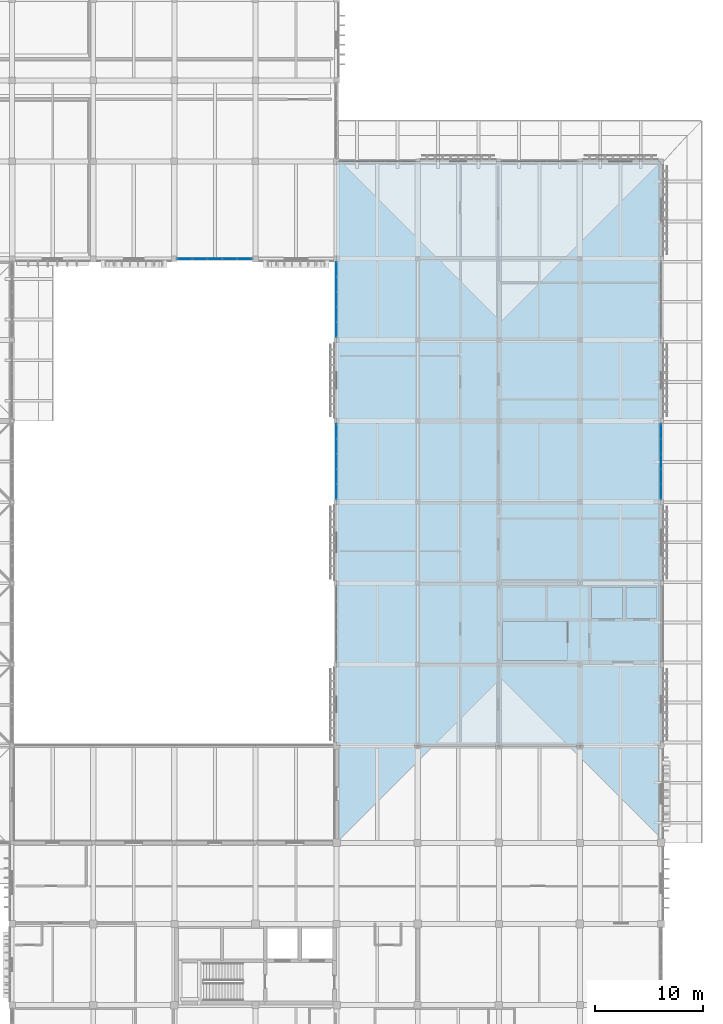
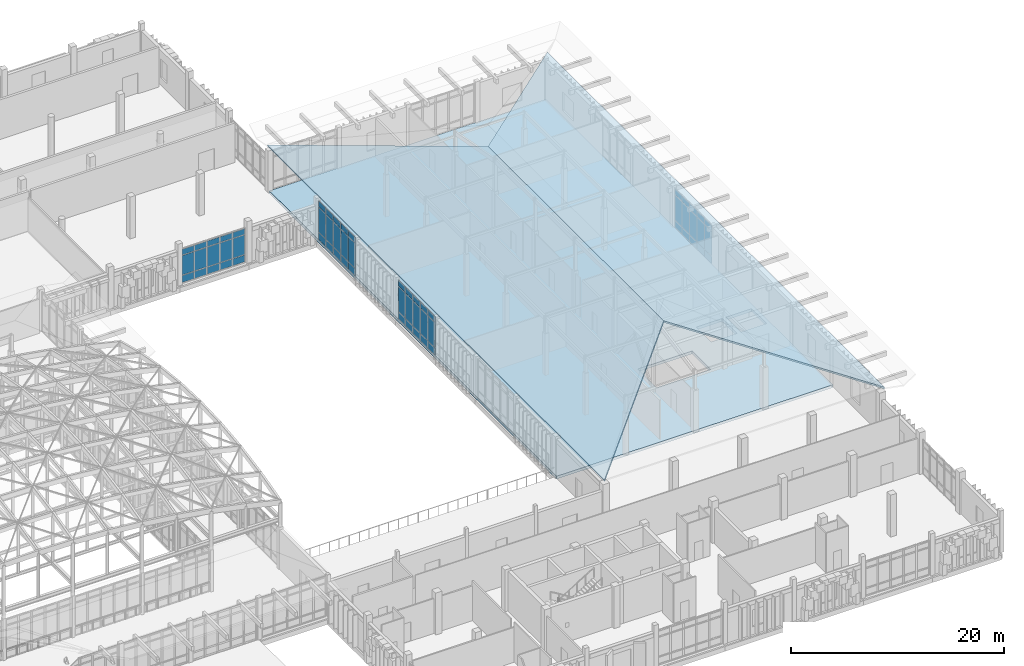
# One storey, part 92 of 131: 60 plates, 3 slabs, 5 elements without a shape of their own.
"""IFC4 building model written with IfcOpenShell, lengths in metres."""

from ifc_helpers import new_model, si_unit, direction, frame, origin, origin_2d, place, context, subcontext, project, spatial, polyline, rectangle, outline, extrude, material, layer, layer_set, type_object, element, aggregate, save


model = new_model("IFC4")

# Units and contexts
model_context = context("Model", 3, precision=1e-05, world=origin(), true_north=direction((0.0, 1.0)))
body_context = subcontext(model_context, "Body", "Model", "MODEL_VIEW")
ifc_project = project(units=[si_unit("LENGTHUNIT", "METRE"), si_unit("AREAUNIT", "SQUARE_METRE"), si_unit("VOLUMEUNIT", "CUBIC_METRE"), si_unit("PLANEANGLEUNIT", "RADIAN"), si_unit("MASSUNIT", "GRAM", prefix="KILO")], contexts=[model_context])

# Site, building, storey
site_placement = place(None, origin())
site = spatial("IfcSite", under=ifc_project, at=site_placement, CompositionType="ELEMENT")
building_placement = place(site_placement, origin())
building = spatial("IfcBuilding", under=site, at=building_placement, Name="Dalvernix Boulevard General Hospital", CompositionType="ELEMENT")
storey_placement = place(building_placement, frame((0.0, 0.0, 9.300048828125)))
storey = spatial("IfcBuildingStorey", under=building, at=storey_placement, Name="L02", CompositionType="ELEMENT", Elevation=9.300048828125)

# Curtain wall, plates
ifc_material_1 = material(Name="Thermally broken aluminium and solar-control glass curtain wall", Category="aluminium")
ifc_layer_1 = layer(ifc_material_1, 0.159912109375)
ifc_layer_set_1 = layer_set([ifc_layer_1], Name="Thermally broken aluminium and solar-control glass curtain wall (CW-CW-A-70x46)")
curtain_wall_type_1 = type_object("IfcCurtainWallType", Name="CW-CW-A-70x46", PredefinedType="USERDEFINED", material=ifc_layer_set_1)
curtain_wall_1_placement = place(storey_placement, origin())
curtain_wall_1 = element("IfcCurtainWall", 1, at=curtain_wall_1_placement, inside=storey, type_object=curtain_wall_type_1, Name="L02 curtain wall CW-A-70x46 19-9", ObjectType="GLAZED FACADE", PredefinedType="USERDEFINED")
ifc_material_2 = material(Name="Double-glazed solar-control low-emissivity glass", Category="glass")
ifc_layer_2 = layer(ifc_material_2, 0.02392578125)
ifc_layer_set_2 = layer_set([ifc_layer_2], Name="Double-glazed solar-control low-emissivity glass (PLT-CW-P1)")
plate_type_1 = type_object("IfcPlateType", Name="PLT-CW-P1", PredefinedType="CURTAIN_PANEL", material=ifc_layer_set_2)
plate_1_placement = place(storey_placement, frame((142.5, 69.950439453125, 0.059814453125), z_axis=(0.0, 0.0, 1.0), x_axis=(0.0, 1.0, 0.0)))
plate_1 = element("IfcPlate", 2, at=plate_1_placement, type_object=plate_type_1, Name="CW-A-70x46 panel 1.1", PredefinedType="CURTAIN_PANEL", context=body_context, shape_type="SweptSolid", body=[
    extrude(rectangle(XDim=1.31103515625, YDim=0.02392578125, at=origin_2d()), origin(), (0.0, 0.0, 1.0), 0.81005859375),
])
plate_2_placement = place(storey_placement, frame((142.5, 69.950439453125, 0.9296875), z_axis=(0.0, 0.0, 1.0), x_axis=(0.0, 1.0, 0.0)))
plate_2 = element("IfcPlate", 3, at=plate_2_placement, type_object=plate_type_1, Name="CW-A-70x46 panel 1.2", PredefinedType="CURTAIN_PANEL", context=body_context, shape_type="SweptSolid", body=[
    extrude(rectangle(XDim=1.31103515625, YDim=0.02392578125, at=origin_2d()), origin(), (0.0, 0.0, 1.0), 2.840087890625),
])
plate_3_placement = place(storey_placement, frame((142.5, 69.950439453125, 3.830078125), z_axis=(0.0, 0.0, 1.0), x_axis=(0.0, 1.0, 0.0)))
plate_3 = element("IfcPlate", 4, at=plate_3_placement, type_object=plate_type_1, Name="CW-A-70x46 panel 1.3", PredefinedType="CURTAIN_PANEL", context=body_context, shape_type="SweptSolid", body=[
    extrude(rectangle(XDim=1.31103515625, YDim=0.02392578125, at=origin_2d()), origin(), (0.0, 0.0, 1.0), 0.659912109375),
])
plate_4_placement = place(storey_placement, frame((142.5, 71.33642578125, 0.059814453125), z_axis=(0.0, 0.0, 1.0), x_axis=(0.0, 1.0, 0.0)))
plate_4 = element("IfcPlate", 5, at=plate_4_placement, type_object=plate_type_1, Name="CW-A-70x46 panel 2.1", PredefinedType="CURTAIN_PANEL", context=body_context, shape_type="SweptSolid", body=[
    extrude(rectangle(XDim=1.341064453125, YDim=0.02392578125, at=origin_2d()), origin(), (0.0, 0.0, 1.0), 0.81005859375),
])
plate_5_placement = place(storey_placement, frame((142.5, 71.33642578125, 0.9296875), z_axis=(0.0, 0.0, 1.0), x_axis=(0.0, 1.0, 0.0)))
plate_5 = element("IfcPlate", 6, at=plate_5_placement, type_object=plate_type_1, Name="CW-A-70x46 panel 2.2", PredefinedType="CURTAIN_PANEL", context=body_context, shape_type="SweptSolid", body=[
    extrude(rectangle(XDim=1.341064453125, YDim=0.02392578125, at=origin_2d()), origin(), (0.0, 0.0, 1.0), 2.840087890625),
])
plate_6_placement = place(storey_placement, frame((142.5, 71.33642578125, 3.830078125), z_axis=(0.0, 0.0, 1.0), x_axis=(0.0, 1.0, 0.0)))
plate_6 = element("IfcPlate", 7, at=plate_6_placement, type_object=plate_type_1, Name="CW-A-70x46 panel 2.3", PredefinedType="CURTAIN_PANEL", context=body_context, shape_type="SweptSolid", body=[
    extrude(rectangle(XDim=1.341064453125, YDim=0.02392578125, at=origin_2d()), origin(), (0.0, 0.0, 1.0), 0.659912109375),
])
plate_7_placement = place(storey_placement, frame((142.5, 72.737548828125, 0.059814453125), z_axis=(0.0, 0.0, 1.0), x_axis=(0.0, 1.0, 0.0)))
plate_7 = element("IfcPlate", 8, at=plate_7_placement, type_object=plate_type_1, Name="CW-A-70x46 panel 3.1", PredefinedType="CURTAIN_PANEL", context=body_context, shape_type="SweptSolid", body=[
    extrude(rectangle(XDim=1.341064453125, YDim=0.02392578125, at=origin_2d()), origin(), (0.0, 0.0, 1.0), 0.81005859375),
])
plate_8_placement = place(storey_placement, frame((142.5, 72.737548828125, 0.9296875), z_axis=(0.0, 0.0, 1.0), x_axis=(0.0, 1.0, 0.0)))
plate_8 = element("IfcPlate", 9, at=plate_8_placement, type_object=plate_type_1, Name="CW-A-70x46 panel 3.2", PredefinedType="CURTAIN_PANEL", context=body_context, shape_type="SweptSolid", body=[
    extrude(rectangle(XDim=1.341064453125, YDim=0.02392578125, at=origin_2d()), origin(), (0.0, 0.0, 1.0), 2.840087890625),
])
plate_9_placement = place(storey_placement, frame((142.5, 72.737548828125, 3.830078125), z_axis=(0.0, 0.0, 1.0), x_axis=(0.0, 1.0, 0.0)))
plate_9 = element("IfcPlate", 10, at=plate_9_placement, type_object=plate_type_1, Name="CW-A-70x46 panel 3.3", PredefinedType="CURTAIN_PANEL", context=body_context, shape_type="SweptSolid", body=[
    extrude(rectangle(XDim=1.341064453125, YDim=0.02392578125, at=origin_2d()), origin(), (0.0, 0.0, 1.0), 0.659912109375),
])
plate_10_placement = place(storey_placement, frame((142.5, 74.138427734375, 0.059814453125), z_axis=(0.0, 0.0, 1.0), x_axis=(0.0, 1.0, 0.0)))
plate_10 = element("IfcPlate", 11, at=plate_10_placement, type_object=plate_type_1, Name="CW-A-70x46 panel 4.1", PredefinedType="CURTAIN_PANEL", context=body_context, shape_type="SweptSolid", body=[
    extrude(rectangle(XDim=1.341064453125, YDim=0.02392578125, at=origin_2d()), origin(), (0.0, 0.0, 1.0), 0.81005859375),
])
plate_11_placement = place(storey_placement, frame((142.5, 74.138427734375, 0.9296875), z_axis=(0.0, 0.0, 1.0), x_axis=(0.0, 1.0, 0.0)))
plate_11 = element("IfcPlate", 12, at=plate_11_placement, type_object=plate_type_1, Name="CW-A-70x46 panel 4.2", PredefinedType="CURTAIN_PANEL", context=body_context, shape_type="SweptSolid", body=[
    extrude(rectangle(XDim=1.341064453125, YDim=0.02392578125, at=origin_2d()), origin(), (0.0, 0.0, 1.0), 2.840087890625),
])
plate_12_placement = place(storey_placement, frame((142.5, 74.138427734375, 3.830078125), z_axis=(0.0, 0.0, 1.0), x_axis=(0.0, 1.0, 0.0)))
plate_12 = element("IfcPlate", 13, at=plate_12_placement, type_object=plate_type_1, Name="CW-A-70x46 panel 4.3", PredefinedType="CURTAIN_PANEL", context=body_context, shape_type="SweptSolid", body=[
    extrude(rectangle(XDim=1.341064453125, YDim=0.02392578125, at=origin_2d()), origin(), (0.0, 0.0, 1.0), 0.659912109375),
])
plate_13_placement = place(storey_placement, frame((142.5, 75.5244140625, 0.059814453125), z_axis=(0.0, 0.0, 1.0), x_axis=(0.0, 1.0, 0.0)))
plate_13 = element("IfcPlate", 14, at=plate_13_placement, type_object=plate_type_1, Name="CW-A-70x46 panel 5.1", PredefinedType="CURTAIN_PANEL", context=body_context, shape_type="SweptSolid", body=[
    extrude(rectangle(XDim=1.31103515625, YDim=0.02392578125, at=origin_2d()), origin(), (0.0, 0.0, 1.0), 0.81005859375),
])
plate_14_placement = place(storey_placement, frame((142.5, 75.5244140625, 0.9296875), z_axis=(0.0, 0.0, 1.0), x_axis=(0.0, 1.0, 0.0)))
plate_14 = element("IfcPlate", 15, at=plate_14_placement, type_object=plate_type_1, Name="CW-A-70x46 panel 5.2", PredefinedType="CURTAIN_PANEL", context=body_context, shape_type="SweptSolid", body=[
    extrude(rectangle(XDim=1.31103515625, YDim=0.02392578125, at=origin_2d()), origin(), (0.0, 0.0, 1.0), 2.840087890625),
])
plate_15_placement = place(storey_placement, frame((142.5, 75.5244140625, 3.830078125), z_axis=(0.0, 0.0, 1.0), x_axis=(0.0, 1.0, 0.0)))
plate_15 = element("IfcPlate", 16, at=plate_15_placement, type_object=plate_type_1, Name="CW-A-70x46 panel 5.3", PredefinedType="CURTAIN_PANEL", context=body_context, shape_type="SweptSolid", body=[
    extrude(rectangle(XDim=1.31103515625, YDim=0.02392578125, at=origin_2d()), origin(), (0.0, 0.0, 1.0), 0.659912109375),
])
aggregate(curtain_wall_1, [plate_1, plate_2, plate_3, plate_4, plate_5, plate_6, plate_7, plate_8, plate_9, plate_10, plate_11, plate_12, plate_13, plate_14, plate_15])

ifc_layer_3 = layer(ifc_material_1, 0.179931640625)
ifc_layer_set_3 = layer_set([ifc_layer_3], Name="Thermally broken aluminium and solar-control glass curtain wall (CW-CW-B-70x46)")
curtain_wall_type_2 = type_object("IfcCurtainWallType", Name="CW-CW-B-70x46", PredefinedType="USERDEFINED", material=ifc_layer_set_3)
curtain_wall_2_placement = place(storey_placement, origin())
curtain_wall_2 = element("IfcCurtainWall", 17, at=curtain_wall_2_placement, inside=storey, type_object=curtain_wall_type_2, Name="L02 curtain wall CW-B-70x46 19-7", ObjectType="GLAZED FACADE", PredefinedType="USERDEFINED")
ifc_layer_4 = layer(ifc_material_2, 0.028076171875)
ifc_layer_set_4 = layer_set([ifc_layer_4], Name="Double-glazed solar-control low-emissivity glass (PLT-CW-P2)")
plate_type_2 = type_object("IfcPlateType", Name="PLT-CW-P2", PredefinedType="CURTAIN_PANEL", material=ifc_layer_set_4)
plate_16_placement = place(storey_placement, frame((142.5, 54.954345703125, 0.06494140625), z_axis=(0.0, 0.0, 1.0), x_axis=(0.0, 1.0, 0.0)))
plate_16 = element("IfcPlate", 18, at=plate_16_placement, type_object=plate_type_2, Name="CW-B-70x46 panel 1.1", PredefinedType="CURTAIN_PANEL", context=body_context, shape_type="SweptSolid", body=[
    extrude(rectangle(XDim=1.30859375, YDim=0.028076171875, at=origin_2d()), origin(), (0.0, 0.0, 1.0), 0.802490234375),
])
plate_17_placement = place(storey_placement, frame((142.5, 54.954345703125, 0.932373046875), z_axis=(0.0, 0.0, 1.0), x_axis=(0.0, 1.0, 0.0)))
plate_17 = element("IfcPlate", 19, at=plate_17_placement, type_object=plate_type_2, Name="CW-B-70x46 panel 1.2", PredefinedType="CURTAIN_PANEL", context=body_context, shape_type="SweptSolid", body=[
    extrude(rectangle(XDim=1.30859375, YDim=0.028076171875, at=origin_2d()), origin(), (0.0, 0.0, 1.0), 2.8349609375),
])
plate_18_placement = place(storey_placement, frame((142.5, 54.954345703125, 3.83251953125), z_axis=(0.0, 0.0, 1.0), x_axis=(0.0, 1.0, 0.0)))
plate_18 = element("IfcPlate", 20, at=plate_18_placement, type_object=plate_type_2, Name="CW-B-70x46 panel 1.3", PredefinedType="CURTAIN_PANEL", context=body_context, shape_type="SweptSolid", body=[
    extrude(rectangle(XDim=1.30859375, YDim=0.028076171875, at=origin_2d()), origin(), (0.0, 0.0, 1.0), 0.652587890625),
])
plate_19_placement = place(storey_placement, frame((142.5, 56.343994140625, 0.06494140625), z_axis=(0.0, 0.0, 1.0), x_axis=(0.0, 1.0, 0.0)))
plate_19 = element("IfcPlate", 21, at=plate_19_placement, type_object=plate_type_2, Name="CW-B-70x46 panel 2.1", PredefinedType="CURTAIN_PANEL", context=body_context, shape_type="SweptSolid", body=[
    extrude(rectangle(XDim=1.341064453125, YDim=0.028076171875, at=origin_2d()), origin(), (0.0, 0.0, 1.0), 0.802490234375),
])
plate_20_placement = place(storey_placement, frame((142.5, 56.343994140625, 0.932373046875), z_axis=(0.0, 0.0, 1.0), x_axis=(0.0, 1.0, 0.0)))
plate_20 = element("IfcPlate", 22, at=plate_20_placement, type_object=plate_type_2, Name="CW-B-70x46 panel 2.2", PredefinedType="CURTAIN_PANEL", context=body_context, shape_type="SweptSolid", body=[
    extrude(rectangle(XDim=1.341064453125, YDim=0.028076171875, at=origin_2d()), origin(), (0.0, 0.0, 1.0), 2.8349609375),
])
plate_21_placement = place(storey_placement, frame((142.5, 56.343994140625, 3.83251953125), z_axis=(0.0, 0.0, 1.0), x_axis=(0.0, 1.0, 0.0)))
plate_21 = element("IfcPlate", 23, at=plate_21_placement, type_object=plate_type_2, Name="CW-B-70x46 panel 2.3", PredefinedType="CURTAIN_PANEL", context=body_context, shape_type="SweptSolid", body=[
    extrude(rectangle(XDim=1.341064453125, YDim=0.028076171875, at=origin_2d()), origin(), (0.0, 0.0, 1.0), 0.652587890625),
])
plate_22_placement = place(storey_placement, frame((142.5, 57.75, 0.06494140625), z_axis=(0.0, 0.0, 1.0), x_axis=(0.0, 1.0, 0.0)))
plate_22 = element("IfcPlate", 24, at=plate_22_placement, type_object=plate_type_2, Name="CW-B-70x46 panel 3.1", PredefinedType="CURTAIN_PANEL", context=body_context, shape_type="SweptSolid", body=[
    extrude(rectangle(XDim=1.341064453125, YDim=0.028076171875, at=origin_2d()), origin(), (0.0, 0.0, 1.0), 0.802490234375),
])
plate_23_placement = place(storey_placement, frame((142.5, 57.75, 0.932373046875), z_axis=(0.0, 0.0, 1.0), x_axis=(0.0, 1.0, 0.0)))
plate_23 = element("IfcPlate", 25, at=plate_23_placement, type_object=plate_type_2, Name="CW-B-70x46 panel 3.2", PredefinedType="CURTAIN_PANEL", context=body_context, shape_type="SweptSolid", body=[
    extrude(rectangle(XDim=1.341064453125, YDim=0.028076171875, at=origin_2d()), origin(), (0.0, 0.0, 1.0), 2.8349609375),
])
plate_24_placement = place(storey_placement, frame((142.5, 57.75, 3.83251953125), z_axis=(0.0, 0.0, 1.0), x_axis=(0.0, 1.0, 0.0)))
plate_24 = element("IfcPlate", 26, at=plate_24_placement, type_object=plate_type_2, Name="CW-B-70x46 panel 3.3", PredefinedType="CURTAIN_PANEL", context=body_context, shape_type="SweptSolid", body=[
    extrude(rectangle(XDim=1.341064453125, YDim=0.028076171875, at=origin_2d()), origin(), (0.0, 0.0, 1.0), 0.652587890625),
])
plate_25_placement = place(storey_placement, frame((142.5, 59.156005859375, 0.06494140625), z_axis=(0.0, 0.0, 1.0), x_axis=(0.0, 1.0, 0.0)))
plate_25 = element("IfcPlate", 27, at=plate_25_placement, type_object=plate_type_2, Name="CW-B-70x46 panel 4.1", PredefinedType="CURTAIN_PANEL", context=body_context, shape_type="SweptSolid", body=[
    extrude(rectangle(XDim=1.341064453125, YDim=0.028076171875, at=origin_2d()), origin(), (0.0, 0.0, 1.0), 0.802490234375),
])
plate_26_placement = place(storey_placement, frame((142.5, 59.156005859375, 0.932373046875), z_axis=(0.0, 0.0, 1.0), x_axis=(0.0, 1.0, 0.0)))
plate_26 = element("IfcPlate", 28, at=plate_26_placement, type_object=plate_type_2, Name="CW-B-70x46 panel 4.2", PredefinedType="CURTAIN_PANEL", context=body_context, shape_type="SweptSolid", body=[
    extrude(rectangle(XDim=1.341064453125, YDim=0.028076171875, at=origin_2d()), origin(), (0.0, 0.0, 1.0), 2.8349609375),
])
plate_27_placement = place(storey_placement, frame((142.5, 59.156005859375, 3.83251953125), z_axis=(0.0, 0.0, 1.0), x_axis=(0.0, 1.0, 0.0)))
plate_27 = element("IfcPlate", 29, at=plate_27_placement, type_object=plate_type_2, Name="CW-B-70x46 panel 4.3", PredefinedType="CURTAIN_PANEL", context=body_context, shape_type="SweptSolid", body=[
    extrude(rectangle(XDim=1.341064453125, YDim=0.028076171875, at=origin_2d()), origin(), (0.0, 0.0, 1.0), 0.652587890625),
])
plate_28_placement = place(storey_placement, frame((142.5, 60.545654296875, 0.06494140625), z_axis=(0.0, 0.0, 1.0), x_axis=(0.0, 1.0, 0.0)))
plate_28 = element("IfcPlate", 30, at=plate_28_placement, type_object=plate_type_2, Name="CW-B-70x46 panel 5.1", PredefinedType="CURTAIN_PANEL", context=body_context, shape_type="SweptSolid", body=[
    extrude(rectangle(XDim=1.30859375, YDim=0.028076171875, at=origin_2d()), origin(), (0.0, 0.0, 1.0), 0.802490234375),
])
plate_29_placement = place(storey_placement, frame((142.5, 60.545654296875, 0.932373046875), z_axis=(0.0, 0.0, 1.0), x_axis=(0.0, 1.0, 0.0)))
plate_29 = element("IfcPlate", 31, at=plate_29_placement, type_object=plate_type_2, Name="CW-B-70x46 panel 5.2", PredefinedType="CURTAIN_PANEL", context=body_context, shape_type="SweptSolid", body=[
    extrude(rectangle(XDim=1.30859375, YDim=0.028076171875, at=origin_2d()), origin(), (0.0, 0.0, 1.0), 2.8349609375),
])
plate_30_placement = place(storey_placement, frame((142.5, 60.545654296875, 3.83251953125), z_axis=(0.0, 0.0, 1.0), x_axis=(0.0, 1.0, 0.0)))
plate_30 = element("IfcPlate", 32, at=plate_30_placement, type_object=plate_type_2, Name="CW-B-70x46 panel 5.3", PredefinedType="CURTAIN_PANEL", context=body_context, shape_type="SweptSolid", body=[
    extrude(rectangle(XDim=1.30859375, YDim=0.028076171875, at=origin_2d()), origin(), (0.0, 0.0, 1.0), 0.652587890625),
])
aggregate(curtain_wall_2, [plate_16, plate_17, plate_18, plate_19, plate_20, plate_21, plate_22, plate_23, plate_24, plate_25, plate_26, plate_27, plate_28, plate_29, plate_30])

ifc_layer_5 = layer(ifc_material_1, 0.199951171875)
ifc_layer_set_5 = layer_set([ifc_layer_5], Name="Thermally broken aluminium and solar-control glass curtain wall (CW-CW-C-70x40)")
curtain_wall_type_3 = type_object("IfcCurtainWallType", Name="CW-CW-C-70x40", PredefinedType="USERDEFINED", material=ifc_layer_set_5)
curtain_wall_3_placement = place(storey_placement, origin())
curtain_wall_3 = element("IfcCurtainWall", 33, at=curtain_wall_3_placement, inside=storey, type_object=curtain_wall_type_3, Name="L02 curtain wall CW-C-70x40 17-10", ObjectType="GLAZED FACADE", PredefinedType="USERDEFINED")
ifc_layer_6 = layer(ifc_material_2, 0.035888671875)
ifc_layer_set_6 = layer_set([ifc_layer_6], Name="Double-glazed solar-control low-emissivity glass (PLT-CW-P3)")
plate_type_3 = type_object("IfcPlateType", Name="PLT-CW-P3", PredefinedType="CURTAIN_PANEL", material=ifc_layer_set_6)
plate_31_placement = place(storey_placement, frame((134.001953125, 76.5, 0.070068359375), z_axis=(0.0, 0.0, 1.0), x_axis=(-1.0, 0.0, 0.0)))
plate_31 = element("IfcPlate", 34, at=plate_31_placement, type_object=plate_type_3, Name="CW-C-70x40 panel 1.1", PredefinedType="CURTAIN_PANEL", context=body_context, shape_type="SweptSolid", body=[
    extrude(rectangle(XDim=1.285888671875, YDim=0.035888671875, at=origin_2d()), origin(), (0.0, 0.0, 1.0), 0.794921875),
])
plate_32_placement = place(storey_placement, frame((134.001953125, 76.5, 0.93505859375), z_axis=(0.0, 0.0, 1.0), x_axis=(-1.0, 0.0, 0.0)))
plate_32 = element("IfcPlate", 35, at=plate_32_placement, type_object=plate_type_3, Name="CW-C-70x40 panel 1.2", PredefinedType="CURTAIN_PANEL", context=body_context, shape_type="SweptSolid", body=[
    extrude(rectangle(XDim=1.285888671875, YDim=0.035888671875, at=origin_2d()), origin(), (0.0, 0.0, 1.0), 2.22998046875),
])
plate_33_placement = place(storey_placement, frame((134.001953125, 76.5, 3.23486328125), z_axis=(0.0, 0.0, 1.0), x_axis=(-1.0, 0.0, 0.0)))
plate_33 = element("IfcPlate", 36, at=plate_33_placement, type_object=plate_type_3, Name="CW-C-70x40 panel 1.3", PredefinedType="CURTAIN_PANEL", context=body_context, shape_type="SweptSolid", body=[
    extrude(rectangle(XDim=1.285888671875, YDim=0.035888671875, at=origin_2d()), origin(), (0.0, 0.0, 1.0), 0.64501953125),
])
plate_34_placement = place(storey_placement, frame((132.62841796875, 76.5, 0.070068359375), z_axis=(0.0, 0.0, 1.0), x_axis=(-1.0, 0.0, 0.0)))
plate_34 = element("IfcPlate", 37, at=plate_34_placement, type_object=plate_type_3, Name="CW-C-70x40 panel 2.1", PredefinedType="CURTAIN_PANEL", context=body_context, shape_type="SweptSolid", body=[
    extrude(rectangle(XDim=1.321044921875, YDim=0.035888671875, at=origin_2d()), origin(), (0.0, 0.0, 1.0), 0.794921875),
])
plate_35_placement = place(storey_placement, frame((132.62841796875, 76.5, 0.93505859375), z_axis=(0.0, 0.0, 1.0), x_axis=(-1.0, 0.0, 0.0)))
plate_35 = element("IfcPlate", 38, at=plate_35_placement, type_object=plate_type_3, Name="CW-C-70x40 panel 2.2", PredefinedType="CURTAIN_PANEL", context=body_context, shape_type="SweptSolid", body=[
    extrude(rectangle(XDim=1.321044921875, YDim=0.035888671875, at=origin_2d()), origin(), (0.0, 0.0, 1.0), 2.22998046875),
])
plate_36_placement = place(storey_placement, frame((132.62841796875, 76.5, 3.23486328125), z_axis=(0.0, 0.0, 1.0), x_axis=(-1.0, 0.0, 0.0)))
plate_36 = element("IfcPlate", 39, at=plate_36_placement, type_object=plate_type_3, Name="CW-C-70x40 panel 2.3", PredefinedType="CURTAIN_PANEL", context=body_context, shape_type="SweptSolid", body=[
    extrude(rectangle(XDim=1.321044921875, YDim=0.035888671875, at=origin_2d()), origin(), (0.0, 0.0, 1.0), 0.64501953125),
])
plate_37_placement = place(storey_placement, frame((131.237548828125, 76.5, 0.070068359375), z_axis=(0.0, 0.0, 1.0), x_axis=(-1.0, 0.0, 0.0)))
plate_37 = element("IfcPlate", 40, at=plate_37_placement, type_object=plate_type_3, Name="CW-C-70x40 panel 3.1", PredefinedType="CURTAIN_PANEL", context=body_context, shape_type="SweptSolid", body=[
    extrude(rectangle(XDim=1.321044921875, YDim=0.035888671875, at=origin_2d()), origin(), (0.0, 0.0, 1.0), 0.794921875),
])
plate_38_placement = place(storey_placement, frame((131.237548828125, 76.5, 0.93505859375), z_axis=(0.0, 0.0, 1.0), x_axis=(-1.0, 0.0, 0.0)))
plate_38 = element("IfcPlate", 41, at=plate_38_placement, type_object=plate_type_3, Name="CW-C-70x40 panel 3.2", PredefinedType="CURTAIN_PANEL", context=body_context, shape_type="SweptSolid", body=[
    extrude(rectangle(XDim=1.321044921875, YDim=0.035888671875, at=origin_2d()), origin(), (0.0, 0.0, 1.0), 2.22998046875),
])
plate_39_placement = place(storey_placement, frame((131.237548828125, 76.5, 3.23486328125), z_axis=(0.0, 0.0, 1.0), x_axis=(-1.0, 0.0, 0.0)))
plate_39 = element("IfcPlate", 42, at=plate_39_placement, type_object=plate_type_3, Name="CW-C-70x40 panel 3.3", PredefinedType="CURTAIN_PANEL", context=body_context, shape_type="SweptSolid", body=[
    extrude(rectangle(XDim=1.321044921875, YDim=0.035888671875, at=origin_2d()), origin(), (0.0, 0.0, 1.0), 0.64501953125),
])
plate_40_placement = place(storey_placement, frame((129.846435546875, 76.5, 0.070068359375), z_axis=(0.0, 0.0, 1.0), x_axis=(-1.0, 0.0, 0.0)))
plate_40 = element("IfcPlate", 43, at=plate_40_placement, type_object=plate_type_3, Name="CW-C-70x40 panel 4.1", PredefinedType="CURTAIN_PANEL", context=body_context, shape_type="SweptSolid", body=[
    extrude(rectangle(XDim=1.321044921875, YDim=0.035888671875, at=origin_2d()), origin(), (0.0, 0.0, 1.0), 0.794921875),
])
plate_41_placement = place(storey_placement, frame((129.846435546875, 76.5, 0.93505859375), z_axis=(0.0, 0.0, 1.0), x_axis=(-1.0, 0.0, 0.0)))
plate_41 = element("IfcPlate", 44, at=plate_41_placement, type_object=plate_type_3, Name="CW-C-70x40 panel 4.2", PredefinedType="CURTAIN_PANEL", context=body_context, shape_type="SweptSolid", body=[
    extrude(rectangle(XDim=1.321044921875, YDim=0.035888671875, at=origin_2d()), origin(), (0.0, 0.0, 1.0), 2.22998046875),
])
plate_42_placement = place(storey_placement, frame((129.846435546875, 76.5, 3.23486328125), z_axis=(0.0, 0.0, 1.0), x_axis=(-1.0, 0.0, 0.0)))
plate_42 = element("IfcPlate", 45, at=plate_42_placement, type_object=plate_type_3, Name="CW-C-70x40 panel 4.3", PredefinedType="CURTAIN_PANEL", context=body_context, shape_type="SweptSolid", body=[
    extrude(rectangle(XDim=1.321044921875, YDim=0.035888671875, at=origin_2d()), origin(), (0.0, 0.0, 1.0), 0.64501953125),
])
plate_43_placement = place(storey_placement, frame((128.472900390625, 76.5, 0.070068359375), z_axis=(0.0, 0.0, 1.0), x_axis=(-1.0, 0.0, 0.0)))
plate_43 = element("IfcPlate", 46, at=plate_43_placement, type_object=plate_type_3, Name="CW-C-70x40 panel 5.1", PredefinedType="CURTAIN_PANEL", context=body_context, shape_type="SweptSolid", body=[
    extrude(rectangle(XDim=1.285888671875, YDim=0.035888671875, at=origin_2d()), origin(), (0.0, 0.0, 1.0), 0.794921875),
])
plate_44_placement = place(storey_placement, frame((128.472900390625, 76.5, 0.93505859375), z_axis=(0.0, 0.0, 1.0), x_axis=(-1.0, 0.0, 0.0)))
plate_44 = element("IfcPlate", 47, at=plate_44_placement, type_object=plate_type_3, Name="CW-C-70x40 panel 5.2", PredefinedType="CURTAIN_PANEL", context=body_context, shape_type="SweptSolid", body=[
    extrude(rectangle(XDim=1.285888671875, YDim=0.035888671875, at=origin_2d()), origin(), (0.0, 0.0, 1.0), 2.22998046875),
])
plate_45_placement = place(storey_placement, frame((128.472900390625, 76.5, 3.23486328125), z_axis=(0.0, 0.0, 1.0), x_axis=(-1.0, 0.0, 0.0)))
plate_45 = element("IfcPlate", 48, at=plate_45_placement, type_object=plate_type_3, Name="CW-C-70x40 panel 5.3", PredefinedType="CURTAIN_PANEL", context=body_context, shape_type="SweptSolid", body=[
    extrude(rectangle(XDim=1.285888671875, YDim=0.035888671875, at=origin_2d()), origin(), (0.0, 0.0, 1.0), 0.64501953125),
])
aggregate(curtain_wall_3, [plate_31, plate_32, plate_33, plate_34, plate_35, plate_36, plate_37, plate_38, plate_39, plate_40, plate_41, plate_42, plate_43, plate_44, plate_45])

ifc_layer_7 = layer(ifc_material_1, 0.199951171875)
ifc_layer_set_7 = layer_set([ifc_layer_7], Name="Thermally broken aluminium and solar-control glass curtain wall (CW-CW-C-70x46)")
curtain_wall_type_4 = type_object("IfcCurtainWallType", Name="CW-CW-C-70x46", PredefinedType="USERDEFINED", material=ifc_layer_set_7)
curtain_wall_4_placement = place(storey_placement, origin())
curtain_wall_4 = element("IfcCurtainWall", 49, at=curtain_wall_4_placement, inside=storey, type_object=curtain_wall_type_4, Name="L02 curtain wall CW-C-70x46 23-7", ObjectType="GLAZED FACADE", PredefinedType="USERDEFINED")
plate_46_placement = place(storey_placement, frame((172.5, 60.54443359375, 0.070068359375), z_axis=(0.0, 0.0, 1.0), x_axis=(0.0, -1.0, 0.0)))
plate_46 = element("IfcPlate", 50, at=plate_46_placement, type_object=plate_type_3, Name="CW-C-70x46 panel 1.1", PredefinedType="CURTAIN_PANEL", context=body_context, shape_type="SweptSolid", body=[
    extrude(rectangle(XDim=1.301025390625, YDim=0.035888671875, at=origin_2d()), origin(), (0.0, 0.0, 1.0), 0.794921875),
])
plate_47_placement = place(storey_placement, frame((172.5, 60.54443359375, 0.934814453125), z_axis=(0.0, 0.0, 1.0), x_axis=(0.0, -1.0, 0.0)))
plate_47 = element("IfcPlate", 51, at=plate_47_placement, type_object=plate_type_3, Name="CW-C-70x46 panel 1.2", PredefinedType="CURTAIN_PANEL", context=body_context, shape_type="SweptSolid", body=[
    extrude(rectangle(XDim=1.301025390625, YDim=0.035888671875, at=origin_2d()), origin(), (0.0, 0.0, 1.0), 2.830078125),
])
plate_48_placement = place(storey_placement, frame((172.5, 60.54443359375, 3.8349609375), z_axis=(0.0, 0.0, 1.0), x_axis=(0.0, -1.0, 0.0)))
plate_48 = element("IfcPlate", 52, at=plate_48_placement, type_object=plate_type_3, Name="CW-C-70x46 panel 1.3", PredefinedType="CURTAIN_PANEL", context=body_context, shape_type="SweptSolid", body=[
    extrude(rectangle(XDim=1.301025390625, YDim=0.035888671875, at=origin_2d()), origin(), (0.0, 0.0, 1.0), 0.64501953125),
])
plate_49_placement = place(storey_placement, frame((172.5, 59.156005859375, 0.070068359375), z_axis=(0.0, 0.0, 1.0), x_axis=(0.0, -1.0, 0.0)))
plate_49 = element("IfcPlate", 53, at=plate_49_placement, type_object=plate_type_3, Name="CW-C-70x46 panel 2.1", PredefinedType="CURTAIN_PANEL", context=body_context, shape_type="SweptSolid", body=[
    extrude(rectangle(XDim=1.3359375, YDim=0.035888671875, at=origin_2d()), origin(), (0.0, 0.0, 1.0), 0.794921875),
])
plate_50_placement = place(storey_placement, frame((172.5, 59.156005859375, 0.934814453125), z_axis=(0.0, 0.0, 1.0), x_axis=(0.0, -1.0, 0.0)))
plate_50 = element("IfcPlate", 54, at=plate_50_placement, type_object=plate_type_3, Name="CW-C-70x46 panel 2.2", PredefinedType="CURTAIN_PANEL", context=body_context, shape_type="SweptSolid", body=[
    extrude(rectangle(XDim=1.3359375, YDim=0.035888671875, at=origin_2d()), origin(), (0.0, 0.0, 1.0), 2.830078125),
])
plate_51_placement = place(storey_placement, frame((172.5, 59.156005859375, 3.8349609375), z_axis=(0.0, 0.0, 1.0), x_axis=(0.0, -1.0, 0.0)))
plate_51 = element("IfcPlate", 55, at=plate_51_placement, type_object=plate_type_3, Name="CW-C-70x46 panel 2.3", PredefinedType="CURTAIN_PANEL", context=body_context, shape_type="SweptSolid", body=[
    extrude(rectangle(XDim=1.3359375, YDim=0.035888671875, at=origin_2d()), origin(), (0.0, 0.0, 1.0), 0.64501953125),
])
plate_52_placement = place(storey_placement, frame((172.5, 57.75, 0.070068359375), z_axis=(0.0, 0.0, 1.0), x_axis=(0.0, -1.0, 0.0)))
plate_52 = element("IfcPlate", 56, at=plate_52_placement, type_object=plate_type_3, Name="CW-C-70x46 panel 3.1", PredefinedType="CURTAIN_PANEL", context=body_context, shape_type="SweptSolid", body=[
    extrude(rectangle(XDim=1.3359375, YDim=0.035888671875, at=origin_2d()), origin(), (0.0, 0.0, 1.0), 0.794921875),
])
plate_53_placement = place(storey_placement, frame((172.5, 57.75, 0.934814453125), z_axis=(0.0, 0.0, 1.0), x_axis=(0.0, -1.0, 0.0)))
plate_53 = element("IfcPlate", 57, at=plate_53_placement, type_object=plate_type_3, Name="CW-C-70x46 panel 3.2", PredefinedType="CURTAIN_PANEL", context=body_context, shape_type="SweptSolid", body=[
    extrude(rectangle(XDim=1.3359375, YDim=0.035888671875, at=origin_2d()), origin(), (0.0, 0.0, 1.0), 2.830078125),
])
plate_54_placement = place(storey_placement, frame((172.5, 57.75, 3.8349609375), z_axis=(0.0, 0.0, 1.0), x_axis=(0.0, -1.0, 0.0)))
plate_54 = element("IfcPlate", 58, at=plate_54_placement, type_object=plate_type_3, Name="CW-C-70x46 panel 3.3", PredefinedType="CURTAIN_PANEL", context=body_context, shape_type="SweptSolid", body=[
    extrude(rectangle(XDim=1.3359375, YDim=0.035888671875, at=origin_2d()), origin(), (0.0, 0.0, 1.0), 0.64501953125),
])
plate_55_placement = place(storey_placement, frame((172.5, 56.343994140625, 0.070068359375), z_axis=(0.0, 0.0, 1.0), x_axis=(0.0, -1.0, 0.0)))
plate_55 = element("IfcPlate", 59, at=plate_55_placement, type_object=plate_type_3, Name="CW-C-70x46 panel 4.1", PredefinedType="CURTAIN_PANEL", context=body_context, shape_type="SweptSolid", body=[
    extrude(rectangle(XDim=1.3359375, YDim=0.035888671875, at=origin_2d()), origin(), (0.0, 0.0, 1.0), 0.794921875),
])
plate_56_placement = place(storey_placement, frame((172.5, 56.343994140625, 0.934814453125), z_axis=(0.0, 0.0, 1.0), x_axis=(0.0, -1.0, 0.0)))
plate_56 = element("IfcPlate", 60, at=plate_56_placement, type_object=plate_type_3, Name="CW-C-70x46 panel 4.2", PredefinedType="CURTAIN_PANEL", context=body_context, shape_type="SweptSolid", body=[
    extrude(rectangle(XDim=1.3359375, YDim=0.035888671875, at=origin_2d()), origin(), (0.0, 0.0, 1.0), 2.830078125),
])
plate_57_placement = place(storey_placement, frame((172.5, 56.343994140625, 3.8349609375), z_axis=(0.0, 0.0, 1.0), x_axis=(0.0, -1.0, 0.0)))
plate_57 = element("IfcPlate", 61, at=plate_57_placement, type_object=plate_type_3, Name="CW-C-70x46 panel 4.3", PredefinedType="CURTAIN_PANEL", context=body_context, shape_type="SweptSolid", body=[
    extrude(rectangle(XDim=1.3359375, YDim=0.035888671875, at=origin_2d()), origin(), (0.0, 0.0, 1.0), 0.64501953125),
])
plate_58_placement = place(storey_placement, frame((172.5, 54.95556640625, 0.070068359375), z_axis=(0.0, 0.0, 1.0), x_axis=(0.0, -1.0, 0.0)))
plate_58 = element("IfcPlate", 62, at=plate_58_placement, type_object=plate_type_3, Name="CW-C-70x46 panel 5.1", PredefinedType="CURTAIN_PANEL", context=body_context, shape_type="SweptSolid", body=[
    extrude(rectangle(XDim=1.301025390625, YDim=0.035888671875, at=origin_2d()), origin(), (0.0, 0.0, 1.0), 0.794921875),
])
plate_59_placement = place(storey_placement, frame((172.5, 54.95556640625, 0.934814453125), z_axis=(0.0, 0.0, 1.0), x_axis=(0.0, -1.0, 0.0)))
plate_59 = element("IfcPlate", 63, at=plate_59_placement, type_object=plate_type_3, Name="CW-C-70x46 panel 5.2", PredefinedType="CURTAIN_PANEL", context=body_context, shape_type="SweptSolid", body=[
    extrude(rectangle(XDim=1.301025390625, YDim=0.035888671875, at=origin_2d()), origin(), (0.0, 0.0, 1.0), 2.830078125),
])
plate_60_placement = place(storey_placement, frame((172.5, 54.95556640625, 3.8349609375), z_axis=(0.0, 0.0, 1.0), x_axis=(0.0, -1.0, 0.0)))
plate_60 = element("IfcPlate", 64, at=plate_60_placement, type_object=plate_type_3, Name="CW-C-70x46 panel 5.3", PredefinedType="CURTAIN_PANEL", context=body_context, shape_type="SweptSolid", body=[
    extrude(rectangle(XDim=1.301025390625, YDim=0.035888671875, at=origin_2d()), origin(), (0.0, 0.0, 1.0), 0.64501953125),
])
aggregate(curtain_wall_4, [plate_46, plate_47, plate_48, plate_49, plate_50, plate_51, plate_52, plate_53, plate_54, plate_55, plate_56, plate_57, plate_58, plate_59, plate_60])

# Slab
ifc_material_3 = material(Name="Concrete C35/45", Category="concrete")
ifc_layer_8 = layer(ifc_material_3, 0.320068359375)
ifc_layer_set_8 = layer_set([ifc_layer_8], Name="Concrete C35/45 (SLB-FS-02)")
slab_type_1 = type_object("IfcSlabType", Name="SLB-FS-02", PredefinedType="FLOOR", material=ifc_layer_set_8)
slab_1_placement = place(storey_placement, frame((0.0, 0.0, -0.320068359375)))
element("IfcSlab", 65, at=slab_1_placement, inside=storey, type_object=slab_type_1, Name="L02 V2 structural floor slab 1", PredefinedType="FLOOR", context=body_context, shape_type="SweptSolid", body=[
    extrude(outline(polyline([(142.5, 76.5), (142.5, 85.5), (150.0, 85.5), (157.5, 85.5), (165.0, 85.5), (172.5, 85.5), (172.5, 76.5), (172.5, 69.0), (172.5, 61.5), (172.5, 54.0), (172.5, 46.5), (172.5, 39.0), (172.5, 31.5), (165.0, 31.5), (157.5, 31.5), (150.0, 31.5), (142.5, 31.5), (142.5, 39.0), (142.5, 46.5), (142.5, 54.0), (142.5, 61.5), (142.5, 69.0), (142.5, 76.5)]), holes=[polyline([(157.89990234375, 39.39990234375), (163.7900390625, 39.39990234375), (163.7900390625, 42.89990234375), (157.89990234375, 42.89990234375), (157.89990234375, 39.39990234375)]), polyline([(166.10009765625, 46.10009765625), (166.10009765625, 43.300048828125), (168.89990234375, 43.300048828125), (168.89990234375, 46.10009765625), (166.10009765625, 46.10009765625)]), polyline([(172.10009765625, 46.10009765625), (169.300048828125, 46.10009765625), (169.300048828125, 43.300048828125), (172.10009765625, 43.300048828125), (172.10009765625, 46.10009765625)])]), origin(), (0.0, 0.0, 1.0), 0.320068359375),
])

# Roof, slabs
ifc_material_4 = material(Name="Polychrome Catalan glazed terracotta tile roof system", Category="masonry")
roof_type = type_object("IfcRoofType", Name="ROOF-HIP-01", PredefinedType="HIP_ROOF", material=ifc_material_4)
roof_placement = place(storey_placement, origin())
roof = element("IfcRoof", 66, at=roof_placement, inside=storey, type_object=roof_type, Name="V2 Hipped Ceramic Roof", PredefinedType="HIP_ROOF")
ifc_layer_9 = layer(ifc_material_3, 0.179931640625)
ifc_layer_set_9 = layer_set([ifc_layer_9], Name="Concrete C35/45 (SLB-RS-03)")
slab_type_2 = type_object("IfcSlabType", Name="SLB-RS-03", PredefinedType="ROOF", material=ifc_layer_set_9)
slab_2_placement = place(storey_placement, frame((142.5, 85.89990234375, 5.02001953125), z_axis=(-0.238529380826, 0.0, 0.971135281247), x_axis=(0.0, -1.0, 0.0)))
slab_2 = element("IfcSlab", 67, at=slab_2_placement, type_object=slab_type_2, Name="V2 hipped roof slab W", PredefinedType="ROOF", context=body_context, shape_type="SweptSolid", body=[
    extrude(outline(polyline([(0.0, 0.0), (63.39990234375, 0.0), (48.199951171875, 15.651734073913714), (15.199951171875, 15.651734073913714), (0.0, 0.0)])), origin(), (0.0, 0.0, -1.0), 0.179931640625),
])
slab_3_placement = place(storey_placement, frame((172.89990234375, 22.5, 5.02001953125), z_axis=(0.238529380826, 0.0, 0.971135281247), x_axis=(0.0, 1.0, 0.0)))
slab_3 = element("IfcSlab", 68, at=slab_3_placement, type_object=slab_type_2, Name="V2 hipped roof slab E", PredefinedType="ROOF", context=body_context, shape_type="SweptSolid", body=[
    extrude(outline(polyline([(0.0, 0.0), (63.39990234375, 0.0), (48.199951171875, 15.651734073913714), (15.199951171875, 15.651734073913714), (0.0, 0.0)])), origin(), (0.0, 0.0, -1.0), 0.179931640625),
])
aggregate(roof, [slab_2, slab_3])

save(model, "model.ifc")
